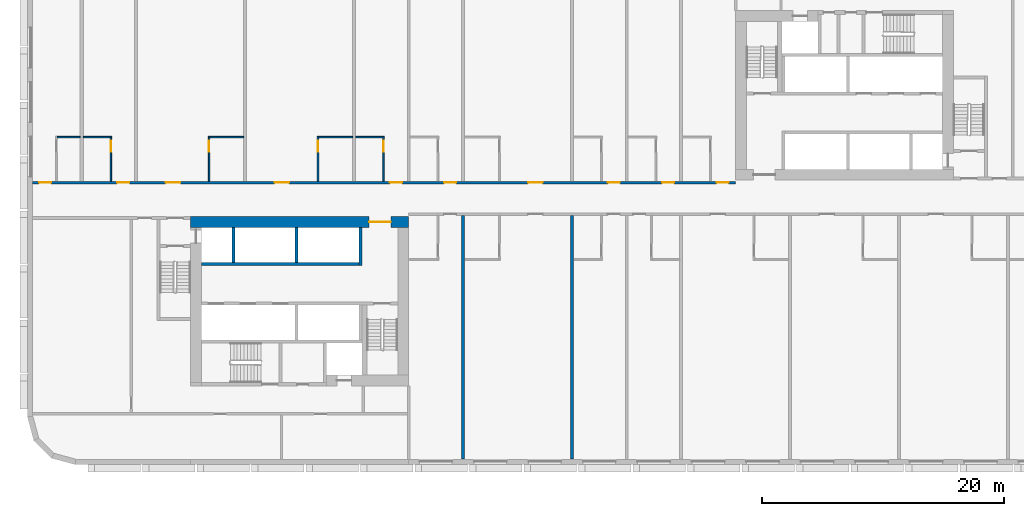
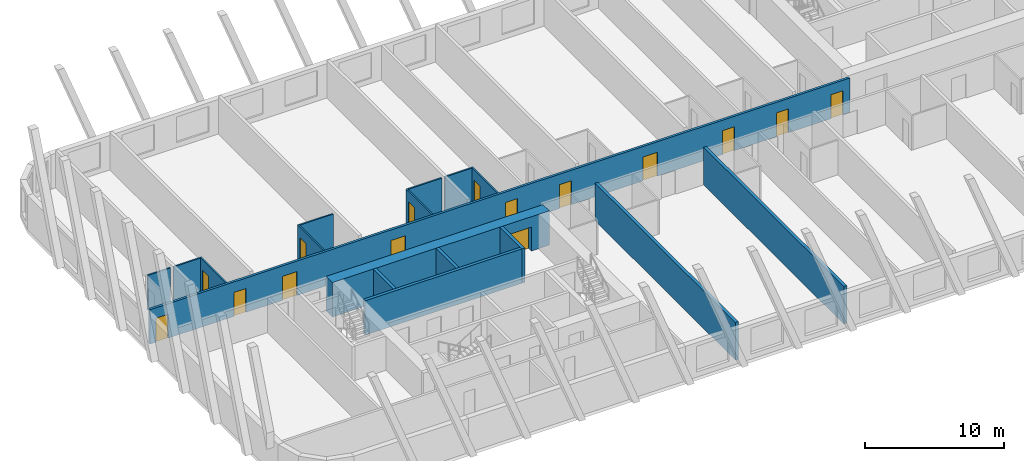
# One storey, part 3 of 13: 17 walls, 15 doors, 15 openings.
"""IFC4 building model written with IfcOpenShell, lengths in metres."""

from ifc_helpers import new_model, si_unit, direction, frame, frame_2d, origin, place, context, subcontext, project, spatial, rectangle, extrude, material, layer, layer_set, type_object, element, fill, save


model = new_model("IFC4")

# Units and contexts
model_context = context("Model", 3, precision=1e-05, world=origin(), true_north=direction((0.0, 1.0)))
body_context = subcontext(model_context, "Body", "Model", "MODEL_VIEW")
ifc_project = project(units=[si_unit("LENGTHUNIT", "METRE"), si_unit("AREAUNIT", "SQUARE_METRE"), si_unit("VOLUMEUNIT", "CUBIC_METRE"), si_unit("PLANEANGLEUNIT", "RADIAN"), si_unit("MASSUNIT", "GRAM", prefix="KILO")], contexts=[model_context])

# Site, building, storey
site_placement = place(None, origin())
site = spatial("IfcSite", under=ifc_project, at=site_placement, CompositionType="ELEMENT")
building_placement = place(site_placement, origin())
building = spatial("IfcBuilding", under=site, at=building_placement, Name="Kajstack Hotel Tower", CompositionType="ELEMENT")
storey_placement = place(building_placement, frame((0.0, 0.0, 60.0)))
storey = spatial("IfcBuildingStorey", under=building, at=storey_placement, Name="L09", CompositionType="ELEMENT", Elevation=60.0)

# Wall, opening, door
ifc_material_1 = material(Name="Concrete C60/75", Category="concrete")
ifc_layer_1 = layer(ifc_material_1, 0.89990234375)
ifc_layer_set_1 = layer_set([ifc_layer_1], Name="Core wall 900")
wall_type_1 = type_object("IfcWallType", Name="Core wall 900", PredefinedType="SHEAR", material=ifc_layer_set_1)
wall_1_placement = place(storey_placement, frame((-31.5, -1.949951171875, 0.0), z_axis=(0.0, 0.0, 1.0), x_axis=(1.0, 0.0, 0.0)))
wall_1 = element("IfcWall", 1, at=wall_1_placement, inside=storey, type_object=wall_type_1, Name="Core wall W RN", PredefinedType="SHEAR", context=body_context, shape_type="SweptSolid", body=[
    extrude(rectangle(XDim=18.0, YDim=0.89990234375, at=frame_2d((9.0, 0.0))), origin(), (0.0, 0.0, 1.0), 3.02001953125),
])
opening_1_placement = place(wall_1_placement, frame((14.72509765625, 0.0, 0.0)))
opening_1 = element("IfcOpeningElement", 2, at=opening_1_placement, cuts=wall_1, Name="Opening 09W06", PredefinedType="OPENING", context=body_context, shape_type="SweptSolid", body=[
    extrude(rectangle(XDim=1.800048828125, YDim=2.10009765625, at=frame_2d((0.89990234375, 1.050048828125))), frame((0.0, 0.4599609375, 0.0), z_axis=(0.0, -1.0, 0.0), x_axis=(1.0, 0.0, 0.0)), (0.0, 0.0, 1.0), 0.919921875),
])
ifc_material_2 = material(Name="Glazed steel frame, fire-rated glass", Category="steel")
door_type_1 = type_object("IfcDoorType", Name="Lobby double door 1800", OperationType="DOUBLE_DOOR_DOUBLE_SWING", PredefinedType="DOOR", material=ifc_material_2)
door_1_placement = place(opening_1_placement, origin())
door_1 = element("IfcDoor", 3, at=door_1_placement, inside=storey, type_object=door_type_1, Name="Door 09W06", OperationType="DOUBLE_DOOR_DOUBLE_SWING", OverallHeight=2.10009765625, OverallWidth=1.800048828125, PredefinedType="DOOR", context=body_context, shape_type="SweptSolid", body=[
    extrude(rectangle(XDim=1.800048828125, YDim=2.10009765625, at=frame_2d((0.89990234375, 1.050048828125))), frame((0.0, 0.02490234375, 0.0), z_axis=(0.0, -1.0, 0.0), x_axis=(1.0, 0.0, 0.0)), (0.0, 0.0, 1.0), 0.050048828125),
])
fill(opening_1, door_1)

# Wall, openings, doors
ifc_material_3 = material(Name="Gypsum board on steel studs, mineral wool", Category="steel")
ifc_layer_2 = layer(ifc_material_3, 0.199951171875)
ifc_layer_set_2 = layer_set([ifc_layer_2], Name="Corridor wall 200")
wall_type_2 = type_object("IfcWallType", Name="Corridor wall 200", PredefinedType="PARTITIONING", material=ifc_layer_set_2)
wall_2_placement = place(storey_placement, frame((-44.550048828125, 1.300048828125, 0.0), z_axis=(0.0, 0.0, 1.0), x_axis=(1.0, 0.0, 0.0)))
wall_2 = element("IfcWall", 4, at=wall_2_placement, inside=storey, type_object=wall_type_2, Name="G-wall-L09-003", PredefinedType="PARTITIONING", context=body_context, shape_type="SweptSolid", body=[
    extrude(rectangle(XDim=58.050048828125, YDim=0.199951171875, at=frame_2d((29.02490234375, 0.0))), origin(), (0.0, 0.0, 1.0), 3.02001953125),
])
opening_2_placement = place(wall_2_placement, frame((0.52490234375, 0.0, 0.0)))
opening_2 = element("IfcOpeningElement", 5, at=opening_2_placement, cuts=wall_2, Name="Opening 09001", PredefinedType="OPENING", context=body_context, shape_type="SweptSolid", body=[
    extrude(rectangle(XDim=1.0, YDim=2.10009765625, at=frame_2d((0.5, 1.050048828125))), frame((0.0, 0.10986328125, 0.0), z_axis=(0.0, -1.0, 0.0), x_axis=(1.0, 0.0, 0.0)), (0.0, 0.0, 1.0), 0.219970703125),
])
opening_3_placement = place(wall_2_placement, frame((6.97509765625, 0.0, 0.0)))
opening_3 = element("IfcOpeningElement", 6, at=opening_3_placement, cuts=wall_2, Name="Opening 09003", PredefinedType="OPENING", context=body_context, shape_type="SweptSolid", body=[
    extrude(rectangle(XDim=1.0, YDim=2.10009765625, at=frame_2d((0.5, 1.050048828125))), frame((0.0, 0.10986328125, 0.0), z_axis=(0.0, -1.0, 0.0), x_axis=(1.0, 0.0, 0.0)), (0.0, 0.0, 1.0), 0.219970703125),
])
opening_4_placement = place(wall_2_placement, frame((10.987060546875, 0.0, 0.0)))
opening_4 = element("IfcOpeningElement", 7, at=opening_4_placement, cuts=wall_2, Name="Opening 09005", PredefinedType="OPENING", context=body_context, shape_type="SweptSolid", body=[
    extrude(rectangle(XDim=1.199951171875, YDim=2.10009765625, at=frame_2d((0.60009765625, 1.050048828125))), frame((0.0, 0.10986328125, 0.0), z_axis=(0.0, -1.0, 0.0), x_axis=(1.0, 0.0, 0.0)), (0.0, 0.0, 1.0), 0.219970703125),
])
opening_5_placement = place(wall_2_placement, frame((19.987060546875, 0.0, 0.0)))
opening_5 = element("IfcOpeningElement", 8, at=opening_5_placement, cuts=wall_2, Name="Opening 09007", PredefinedType="OPENING", context=body_context, shape_type="SweptSolid", body=[
    extrude(rectangle(XDim=1.199951171875, YDim=2.10009765625, at=frame_2d((0.60009765625, 1.050048828125))), frame((0.0, 0.10986328125, 0.0), z_axis=(0.0, -1.0, 0.0), x_axis=(1.0, 0.0, 0.0)), (0.0, 0.0, 1.0), 0.219970703125),
])
opening_6_placement = place(wall_2_placement, frame((29.5, 0.0, 0.0)))
opening_6 = element("IfcOpeningElement", 9, at=opening_6_placement, cuts=wall_2, Name="Opening 09009", PredefinedType="OPENING", context=body_context, shape_type="SweptSolid", body=[
    extrude(rectangle(XDim=1.0, YDim=2.10009765625, at=frame_2d((0.5, 1.050048828125))), frame((0.0, 0.10986328125, 0.0), z_axis=(0.0, -1.0, 0.0), x_axis=(1.0, 0.0, 0.0)), (0.0, 0.0, 1.0), 0.219970703125),
])
opening_7_placement = place(wall_2_placement, frame((33.97509765625, 0.0, 0.0)))
opening_7 = element("IfcOpeningElement", 10, at=opening_7_placement, cuts=wall_2, Name="Opening 09011", PredefinedType="OPENING", context=body_context, shape_type="SweptSolid", body=[
    extrude(rectangle(XDim=1.0, YDim=2.10009765625, at=frame_2d((0.5, 1.050048828125))), frame((0.0, 0.10986328125, 0.0), z_axis=(0.0, -1.0, 0.0), x_axis=(1.0, 0.0, 0.0)), (0.0, 0.0, 1.0), 0.219970703125),
])
opening_8_placement = place(wall_2_placement, frame((40.912109375, 0.0, 0.0)))
opening_8 = element("IfcOpeningElement", 11, at=opening_8_placement, cuts=wall_2, Name="Opening 09013", PredefinedType="OPENING", context=body_context, shape_type="SweptSolid", body=[
    extrude(rectangle(XDim=1.199951171875, YDim=2.10009765625, at=frame_2d((0.60009765625, 1.050048828125))), frame((0.0, 0.10986328125, 0.0), z_axis=(0.0, -1.0, 0.0), x_axis=(1.0, 0.0, 0.0)), (0.0, 0.0, 1.0), 0.219970703125),
])
opening_9_placement = place(wall_2_placement, frame((47.5, 0.0, 0.0)))
opening_9 = element("IfcOpeningElement", 12, at=opening_9_placement, cuts=wall_2, Name="Opening 09015", PredefinedType="OPENING", context=body_context, shape_type="SweptSolid", body=[
    extrude(rectangle(XDim=1.0, YDim=2.10009765625, at=frame_2d((0.5, 1.050048828125))), frame((0.0, 0.10986328125, 0.0), z_axis=(0.0, -1.0, 0.0), x_axis=(1.0, 0.0, 0.0)), (0.0, 0.0, 1.0), 0.219970703125),
])
opening_10_placement = place(wall_2_placement, frame((51.97509765625, 0.0, 0.0)))
opening_10 = element("IfcOpeningElement", 13, at=opening_10_placement, cuts=wall_2, Name="Opening 09017", PredefinedType="OPENING", context=body_context, shape_type="SweptSolid", body=[
    extrude(rectangle(XDim=1.0, YDim=2.10009765625, at=frame_2d((0.5, 1.050048828125))), frame((0.0, 0.10986328125, 0.0), z_axis=(0.0, -1.0, 0.0), x_axis=(1.0, 0.0, 0.0)), (0.0, 0.0, 1.0), 0.219970703125),
])
opening_11_placement = place(wall_2_placement, frame((56.47509765625, 0.0, 0.0)))
opening_11 = element("IfcOpeningElement", 14, at=opening_11_placement, cuts=wall_2, Name="Opening 09019", PredefinedType="OPENING", context=body_context, shape_type="SweptSolid", body=[
    extrude(rectangle(XDim=1.0, YDim=2.10009765625, at=frame_2d((0.5, 1.050048828125))), frame((0.0, 0.10986328125, 0.0), z_axis=(0.0, -1.0, 0.0), x_axis=(1.0, 0.0, 0.0)), (0.0, 0.0, 1.0), 0.219970703125),
])
ifc_material_4 = material(Name="Oak veneer on timber core, fire-rated leaf", Category="wood")
door_type_2 = type_object("IfcDoorType", Name="Flat entrance door 1000", OperationType="SINGLE_SWING_LEFT", PredefinedType="DOOR", material=ifc_material_4)
door_2_placement = place(opening_2_placement, origin())
door_2 = element("IfcDoor", 15, at=door_2_placement, inside=storey, type_object=door_type_2, Name="G-door-L09-01", OperationType="SINGLE_SWING_LEFT", OverallHeight=2.10009765625, OverallWidth=1.0, PredefinedType="DOOR", context=body_context, shape_type="SweptSolid", body=[
    extrude(rectangle(XDim=1.0, YDim=2.10009765625, at=frame_2d((0.5, 1.050048828125))), frame((0.0, 0.02490234375, 0.0), z_axis=(0.0, -1.0, 0.0), x_axis=(1.0, 0.0, 0.0)), (0.0, 0.0, 1.0), 0.050048828125),
])
fill(opening_2, door_2)
door_3_placement = place(opening_3_placement, origin())
door_3 = element("IfcDoor", 16, at=door_3_placement, inside=storey, type_object=door_type_2, Name="G-door-L09-03", OperationType="SINGLE_SWING_LEFT", OverallHeight=2.10009765625, OverallWidth=1.0, PredefinedType="DOOR", context=body_context, shape_type="SweptSolid", body=[
    extrude(rectangle(XDim=1.0, YDim=2.10009765625, at=frame_2d((0.5, 1.050048828125))), frame((0.0, 0.02490234375, 0.0), z_axis=(0.0, -1.0, 0.0), x_axis=(1.0, 0.0, 0.0)), (0.0, 0.0, 1.0), 0.050048828125),
])
fill(opening_3, door_3)
door_4_placement = place(opening_6_placement, origin())
door_4 = element("IfcDoor", 17, at=door_4_placement, inside=storey, type_object=door_type_2, Name="G-door-L09-09", OperationType="SINGLE_SWING_LEFT", OverallHeight=2.10009765625, OverallWidth=1.0, PredefinedType="DOOR", context=body_context, shape_type="SweptSolid", body=[
    extrude(rectangle(XDim=1.0, YDim=2.10009765625, at=frame_2d((0.5, 1.050048828125))), frame((0.0, 0.02490234375, 0.0), z_axis=(0.0, -1.0, 0.0), x_axis=(1.0, 0.0, 0.0)), (0.0, 0.0, 1.0), 0.050048828125),
])
fill(opening_6, door_4)
door_5_placement = place(opening_7_placement, origin())
door_5 = element("IfcDoor", 18, at=door_5_placement, inside=storey, type_object=door_type_2, Name="G-door-L09-11", OperationType="SINGLE_SWING_RIGHT", OverallHeight=2.10009765625, OverallWidth=1.0, PredefinedType="DOOR", context=body_context, shape_type="SweptSolid", body=[
    extrude(rectangle(XDim=1.0, YDim=2.10009765625, at=frame_2d((0.5, 1.050048828125))), frame((0.0, 0.02490234375, 0.0), z_axis=(0.0, -1.0, 0.0), x_axis=(1.0, 0.0, 0.0)), (0.0, 0.0, 1.0), 0.050048828125),
])
fill(opening_7, door_5)
door_6_placement = place(opening_9_placement, origin())
door_6 = element("IfcDoor", 19, at=door_6_placement, inside=storey, type_object=door_type_2, Name="G-door-L09-15", OperationType="SINGLE_SWING_RIGHT", OverallHeight=2.10009765625, OverallWidth=1.0, PredefinedType="DOOR", context=body_context, shape_type="SweptSolid", body=[
    extrude(rectangle(XDim=1.0, YDim=2.10009765625, at=frame_2d((0.5, 1.050048828125))), frame((0.0, 0.02490234375, 0.0), z_axis=(0.0, -1.0, 0.0), x_axis=(1.0, 0.0, 0.0)), (0.0, 0.0, 1.0), 0.050048828125),
])
fill(opening_9, door_6)
door_7_placement = place(opening_10_placement, origin())
door_7 = element("IfcDoor", 20, at=door_7_placement, inside=storey, type_object=door_type_2, Name="G-door-L09-17", OperationType="SINGLE_SWING_RIGHT", OverallHeight=2.10009765625, OverallWidth=1.0, PredefinedType="DOOR", context=body_context, shape_type="SweptSolid", body=[
    extrude(rectangle(XDim=1.0, YDim=2.10009765625, at=frame_2d((0.5, 1.050048828125))), frame((0.0, 0.02490234375, 0.0), z_axis=(0.0, -1.0, 0.0), x_axis=(1.0, 0.0, 0.0)), (0.0, 0.0, 1.0), 0.050048828125),
])
fill(opening_10, door_7)
door_8_placement = place(opening_11_placement, origin())
door_8 = element("IfcDoor", 21, at=door_8_placement, inside=storey, type_object=door_type_2, Name="G-door-L09-19", OperationType="SINGLE_SWING_RIGHT", OverallHeight=2.10009765625, OverallWidth=1.0, PredefinedType="DOOR", context=body_context, shape_type="SweptSolid", body=[
    extrude(rectangle(XDim=1.0, YDim=2.10009765625, at=frame_2d((0.5, 1.050048828125))), frame((0.0, 0.02490234375, 0.0), z_axis=(0.0, -1.0, 0.0), x_axis=(1.0, 0.0, 0.0)), (0.0, 0.0, 1.0), 0.050048828125),
])
fill(opening_11, door_8)
door_type_3 = type_object("IfcDoorType", Name="Flat entrance door 1200", OperationType="SINGLE_SWING_LEFT", PredefinedType="DOOR", material=ifc_material_4)
door_9_placement = place(opening_4_placement, origin())
door_9 = element("IfcDoor", 22, at=door_9_placement, inside=storey, type_object=door_type_3, Name="G-door-L09-05", OperationType="SINGLE_SWING_RIGHT", OverallHeight=2.10009765625, OverallWidth=1.199951171875, PredefinedType="DOOR", context=body_context, shape_type="SweptSolid", body=[
    extrude(rectangle(XDim=1.199951171875, YDim=2.10009765625, at=frame_2d((0.60009765625, 1.050048828125))), frame((0.0, 0.02490234375, 0.0), z_axis=(0.0, -1.0, 0.0), x_axis=(1.0, 0.0, 0.0)), (0.0, 0.0, 1.0), 0.050048828125),
])
fill(opening_4, door_9)
door_10_placement = place(opening_5_placement, origin())
door_10 = element("IfcDoor", 23, at=door_10_placement, inside=storey, type_object=door_type_3, Name="G-door-L09-07", OperationType="SINGLE_SWING_RIGHT", OverallHeight=2.10009765625, OverallWidth=1.199951171875, PredefinedType="DOOR", context=body_context, shape_type="SweptSolid", body=[
    extrude(rectangle(XDim=1.199951171875, YDim=2.10009765625, at=frame_2d((0.60009765625, 1.050048828125))), frame((0.0, 0.02490234375, 0.0), z_axis=(0.0, -1.0, 0.0), x_axis=(1.0, 0.0, 0.0)), (0.0, 0.0, 1.0), 0.050048828125),
])
fill(opening_5, door_10)
door_11_placement = place(opening_8_placement, origin())
door_11 = element("IfcDoor", 24, at=door_11_placement, inside=storey, type_object=door_type_3, Name="G-door-L09-13", OperationType="SINGLE_SWING_RIGHT", OverallHeight=2.10009765625, OverallWidth=1.199951171875, PredefinedType="DOOR", context=body_context, shape_type="SweptSolid", body=[
    extrude(rectangle(XDim=1.199951171875, YDim=2.10009765625, at=frame_2d((0.60009765625, 1.050048828125))), frame((0.0, 0.02490234375, 0.0), z_axis=(0.0, -1.0, 0.0), x_axis=(1.0, 0.0, 0.0)), (0.0, 0.0, 1.0), 0.050048828125),
])
fill(opening_8, door_11)

# Wall
ifc_material_5 = material(Name="Gypsum board and tiled backer on steel studs", Category="steel")
ifc_layer_3 = layer(ifc_material_5, 0.125)
ifc_layer_set_3 = layer_set([ifc_layer_3], Name="En-suite wall 125")
wall_type_3 = type_object("IfcWallType", Name="En-suite wall 125", PredefinedType="PARTITIONING", material=ifc_layer_set_3)
wall_3_placement = place(storey_placement, frame((-42.52490234375, 5.06201171875, 0.0), z_axis=(0.0, 0.0, 1.0), x_axis=(1.0, 0.0, 0.0)))
element("IfcWall", 25, at=wall_3_placement, inside=storey, type_object=wall_type_3, Name="G-wall-L09-005", PredefinedType="PARTITIONING", context=body_context, shape_type="SweptSolid", body=[
    extrude(rectangle(XDim=1.89990234375, YDim=0.125, at=frame_2d((0.949951171875, 0.0))), origin(), (0.0, 0.0, 1.0), 3.02001953125),
])

# Wall, opening, door
wall_4_placement = place(storey_placement, frame((-38.0869140625, 1.39990234375, 0.0), z_axis=(0.0, 0.0, 1.0), x_axis=(0.0, 1.0, 0.0)))
wall_4 = element("IfcWall", 26, at=wall_4_placement, inside=storey, type_object=wall_type_3, Name="G-wall-L09-006", PredefinedType="PARTITIONING", context=body_context, shape_type="SweptSolid", body=[
    extrude(rectangle(XDim=3.72509765625, YDim=0.125, at=frame_2d((1.862548828125, 0.0))), origin(), (0.0, 0.0, 1.0), 3.02001953125),
])
opening_12_placement = place(wall_4_placement, frame((2.449951171875, 0.0, 0.0)))
opening_12 = element("IfcOpeningElement", 27, at=opening_12_placement, cuts=wall_4, Name="Opening 09004", PredefinedType="OPENING", context=body_context, shape_type="SweptSolid", body=[
    extrude(rectangle(XDim=0.89990234375, YDim=2.10009765625, at=frame_2d((0.449951171875, 1.050048828125))), frame((0.0, 0.072509765625, 0.0), z_axis=(0.0, -1.0, 0.0), x_axis=(1.0, 0.0, 0.0)), (0.0, 0.0, 1.0), 0.14501953125),
])
ifc_material_6 = material(Name="Painted timber door leaf", Category="wood")
door_type_4 = type_object("IfcDoorType", Name="Room door 900", OperationType="SINGLE_SWING_LEFT", PredefinedType="DOOR", material=ifc_material_6)
door_12_placement = place(opening_12_placement, origin())
door_12 = element("IfcDoor", 28, at=door_12_placement, inside=storey, type_object=door_type_4, Name="G-door-L09-04", OperationType="SINGLE_SWING_RIGHT", OverallHeight=2.10009765625, OverallWidth=0.89990234375, PredefinedType="DOOR", context=body_context, shape_type="SweptSolid", body=[
    extrude(rectangle(XDim=0.89990234375, YDim=2.10009765625, at=frame_2d((0.449951171875, 1.050048828125))), frame((0.0, 0.02490234375, 0.0), z_axis=(0.0, -1.0, 0.0), x_axis=(1.0, 0.0, 0.0)), (0.0, 0.0, 1.0), 0.050048828125),
])
fill(opening_12, door_12)

# Wall
wall_5_placement = place(storey_placement, frame((-40.375, 5.06201171875, 0.0), z_axis=(0.0, 0.0, 1.0), x_axis=(1.0, 0.0, 0.0)))
element("IfcWall", 29, at=wall_5_placement, inside=storey, type_object=wall_type_3, Name="G-wall-L09-007", PredefinedType="PARTITIONING", context=body_context, shape_type="SweptSolid", body=[
    extrude(rectangle(XDim=2.22509765625, YDim=0.125, at=frame_2d((1.112548828125, 0.0))), origin(), (0.0, 0.0, 1.0), 3.02001953125),
])

# Wall, opening, door
wall_6_placement = place(storey_placement, frame((-29.988037109375, 1.39990234375, 0.0), z_axis=(0.0, 0.0, 1.0), x_axis=(0.0, 1.0, 0.0)))
wall_6 = element("IfcWall", 30, at=wall_6_placement, inside=storey, type_object=wall_type_3, Name="G-wall-L09-008", PredefinedType="PARTITIONING", context=body_context, shape_type="SweptSolid", body=[
    extrude(rectangle(XDim=3.72509765625, YDim=0.125, at=frame_2d((1.862548828125, 0.0))), origin(), (0.0, 0.0, 1.0), 3.02001953125),
])
opening_13_placement = place(wall_6_placement, frame((2.449951171875, 0.0, 0.0)))
opening_13 = element("IfcOpeningElement", 31, at=opening_13_placement, cuts=wall_6, Name="Opening 09006", PredefinedType="OPENING", context=body_context, shape_type="SweptSolid", body=[
    extrude(rectangle(XDim=0.89990234375, YDim=2.10009765625, at=frame_2d((0.449951171875, 1.050048828125))), frame((0.0, 0.072509765625, 0.0), z_axis=(0.0, -1.0, 0.0), x_axis=(1.0, 0.0, 0.0)), (0.0, 0.0, 1.0), 0.14501953125),
])
door_13_placement = place(opening_13_placement, origin())
door_13 = element("IfcDoor", 32, at=door_13_placement, inside=storey, type_object=door_type_4, Name="G-door-L09-06", OperationType="SINGLE_SWING_RIGHT", OverallHeight=2.10009765625, OverallWidth=0.89990234375, PredefinedType="DOOR", context=body_context, shape_type="SweptSolid", body=[
    extrude(rectangle(XDim=0.89990234375, YDim=2.10009765625, at=frame_2d((0.449951171875, 1.050048828125))), frame((0.0, 0.02490234375, 0.0), z_axis=(0.0, -1.0, 0.0), x_axis=(1.0, 0.0, 0.0)), (0.0, 0.0, 1.0), 0.050048828125),
])
fill(opening_13, door_13)

# Wall
wall_7_placement = place(storey_placement, frame((-29.925048828125, 5.06201171875, 0.0), z_axis=(0.0, 0.0, 1.0), x_axis=(1.0, 0.0, 0.0)))
element("IfcWall", 33, at=wall_7_placement, inside=storey, type_object=wall_type_3, Name="G-wall-L09-009", PredefinedType="PARTITIONING", context=body_context, shape_type="SweptSolid", body=[
    extrude(rectangle(XDim=2.800048828125, YDim=0.125, at=frame_2d((1.39990234375, 0.0))), origin(), (0.0, 0.0, 1.0), 3.02001953125),
])

# Wall, opening, door
wall_8_placement = place(storey_placement, frame((-20.988037109375, 1.39990234375, 0.0), z_axis=(0.0, 0.0, 1.0), x_axis=(0.0, 1.0, 0.0)))
wall_8 = element("IfcWall", 34, at=wall_8_placement, inside=storey, type_object=wall_type_3, Name="G-wall-L09-010", PredefinedType="PARTITIONING", context=body_context, shape_type="SweptSolid", body=[
    extrude(rectangle(XDim=3.72509765625, YDim=0.125, at=frame_2d((1.862548828125, 0.0))), origin(), (0.0, 0.0, 1.0), 3.02001953125),
])
opening_14_placement = place(wall_8_placement, frame((2.449951171875, 0.0, 0.0)))
opening_14 = element("IfcOpeningElement", 35, at=opening_14_placement, cuts=wall_8, Name="Opening 09008", PredefinedType="OPENING", context=body_context, shape_type="SweptSolid", body=[
    extrude(rectangle(XDim=0.89990234375, YDim=2.10009765625, at=frame_2d((0.449951171875, 1.050048828125))), frame((0.0, 0.072509765625, 0.0), z_axis=(0.0, -1.0, 0.0), x_axis=(1.0, 0.0, 0.0)), (0.0, 0.0, 1.0), 0.14501953125),
])
door_14_placement = place(opening_14_placement, origin())
door_14 = element("IfcDoor", 36, at=door_14_placement, inside=storey, type_object=door_type_4, Name="G-door-L09-08", OperationType="SINGLE_SWING_LEFT", OverallHeight=2.10009765625, OverallWidth=0.89990234375, PredefinedType="DOOR", context=body_context, shape_type="SweptSolid", body=[
    extrude(rectangle(XDim=0.89990234375, YDim=2.10009765625, at=frame_2d((0.449951171875, 1.050048828125))), frame((0.0, 0.02490234375, 0.0), z_axis=(0.0, -1.0, 0.0), x_axis=(1.0, 0.0, 0.0)), (0.0, 0.0, 1.0), 0.050048828125),
])
fill(opening_14, door_14)

# Wall
wall_9_placement = place(storey_placement, frame((-20.925048828125, 5.06201171875, 0.0), z_axis=(0.0, 0.0, 1.0), x_axis=(1.0, 0.0, 0.0)))
element("IfcWall", 37, at=wall_9_placement, inside=storey, type_object=wall_type_3, Name="G-wall-L09-011", PredefinedType="PARTITIONING", context=body_context, shape_type="SweptSolid", body=[
    extrude(rectangle(XDim=2.800048828125, YDim=0.125, at=frame_2d((1.39990234375, 0.0))), origin(), (0.0, 0.0, 1.0), 3.02001953125),
])

# Wall, opening, door
wall_10_placement = place(storey_placement, frame((-15.56201171875, 1.39990234375, 0.0), z_axis=(0.0, 0.0, 1.0), x_axis=(0.0, 1.0, 0.0)))
wall_10 = element("IfcWall", 38, at=wall_10_placement, inside=storey, type_object=wall_type_3, Name="G-wall-L09-013", PredefinedType="PARTITIONING", context=body_context, shape_type="SweptSolid", body=[
    extrude(rectangle(XDim=3.72509765625, YDim=0.125, at=frame_2d((1.862548828125, 0.0))), origin(), (0.0, 0.0, 1.0), 3.02001953125),
])
opening_15_placement = place(wall_10_placement, frame((2.449951171875, 0.0, 0.0)))
opening_15 = element("IfcOpeningElement", 39, at=opening_15_placement, cuts=wall_10, Name="Opening 09010", PredefinedType="OPENING", context=body_context, shape_type="SweptSolid", body=[
    extrude(rectangle(XDim=0.89990234375, YDim=2.10009765625, at=frame_2d((0.449951171875, 1.050048828125))), frame((0.0, 0.072509765625, 0.0), z_axis=(0.0, -1.0, 0.0), x_axis=(1.0, 0.0, 0.0)), (0.0, 0.0, 1.0), 0.14501953125),
])
door_15_placement = place(opening_15_placement, origin())
door_15 = element("IfcDoor", 40, at=door_15_placement, inside=storey, type_object=door_type_4, Name="G-door-L09-10", OperationType="SINGLE_SWING_LEFT", OverallHeight=2.10009765625, OverallWidth=0.89990234375, PredefinedType="DOOR", context=body_context, shape_type="SweptSolid", body=[
    extrude(rectangle(XDim=0.89990234375, YDim=2.10009765625, at=frame_2d((0.449951171875, 1.050048828125))), frame((0.0, 0.02490234375, 0.0), z_axis=(0.0, -1.0, 0.0), x_axis=(1.0, 0.0, 0.0)), (0.0, 0.0, 1.0), 0.050048828125),
])
fill(opening_15, door_15)

# Walls
wall_11_placement = place(storey_placement, frame((-17.875, 5.06201171875, 0.0), z_axis=(0.0, 0.0, 1.0), x_axis=(1.0, 0.0, 0.0)))
element("IfcWall", 41, at=wall_11_placement, inside=storey, type_object=wall_type_3, Name="G-wall-L09-014", PredefinedType="PARTITIONING", context=body_context, shape_type="SweptSolid", body=[
    extrude(rectangle(XDim=2.25, YDim=0.125, at=frame_2d((1.125, 0.0))), origin(), (0.0, 0.0, 1.0), 3.02001953125),
])
ifc_material_7 = material(Name="Concrete C50/60", Category="concrete")
ifc_layer_4 = layer(ifc_material_7, 0.300048828125)
ifc_layer_set_4 = layer_set([ifc_layer_4], Name="Hoistway divider wall 300")
wall_type_4 = type_object("IfcWallType", Name="Hoistway divider wall 300", PredefinedType="SHEAR", material=ifc_layer_set_4)
wall_12_placement = place(storey_placement, frame((-22.77490234375, -5.300048828125, 0.0), z_axis=(0.0, 0.0, 1.0), x_axis=(0.0, 1.0, 0.0)))
element("IfcWall", 42, at=wall_12_placement, inside=storey, type_object=wall_type_4, Name="Core wall W AP2", PredefinedType="SHEAR", context=body_context, shape_type="SweptSolid", body=[
    extrude(rectangle(XDim=2.900146484375, YDim=0.25, at=frame_2d((1.4501953125, 0.0))), origin(), (0.0, 0.0, 1.0), 3.02001953125),
])
ifc_layer_5 = layer(ifc_material_1, 0.25)
ifc_layer_set_5 = layer_set([ifc_layer_5], Name="RC cross wall 250 C60/75")
wall_type_5 = type_object("IfcWallType", Name="RC cross wall 250 C60/75", PredefinedType="SHEAR", material=ifc_layer_set_5)
for number, where, z_axis, x_axis, name in (
    (43, (-9.0, -21.5400390625, 0.0), (0.0, 0.0, 1.0), (0.0, 1.0, 0.0), "S-wall-L09-05"),
    (44, (0.0, -21.5400390625, 0.0), (0.0, 0.0, 1.0), (0.0, 1.0, 0.0), "S-wall-L09-07"),
):
    element("IfcWall", number, at=place(storey_placement, frame(where, z_axis=z_axis, x_axis=x_axis)), inside=storey, type_object=wall_type_5, Name=name, PredefinedType="SHEAR", context=body_context, shape_type="SweptSolid", body=[
        extrude(rectangle(XDim=20.14013671875, YDim=0.25, at=frame_2d((10.070068359375, 0.0))), origin(), (0.0, 0.0, 1.0), 3.300048828125),
    ])
ifc_layer_6 = layer(ifc_material_7, 0.25)
ifc_layer_set_6 = layer_set([ifc_layer_6], Name="Shaft wall 250")
wall_type_6 = type_object("IfcWallType", Name="Shaft wall 250", PredefinedType="SHEAR", material=ifc_layer_set_6)
wall_13_placement = place(storey_placement, frame((-30.60009765625, -5.425048828125, 0.0), z_axis=(0.0, 0.0, 1.0), x_axis=(1.0, 0.0, 0.0)))
element("IfcWall", 45, at=wall_13_placement, inside=storey, type_object=wall_type_6, Name="Core wall W FA", PredefinedType="SHEAR", context=body_context, shape_type="SweptSolid", body=[
    extrude(rectangle(XDim=13.0, YDim=0.25, at=frame_2d((6.5, 0.0))), origin(), (0.0, 0.0, 1.0), 3.02001953125),
])
wall_14_placement = place(storey_placement, frame((-17.47509765625, -5.550048828125, 0.0), z_axis=(0.0, 0.0, 1.0), x_axis=(0.0, 1.0, 0.0)))
element("IfcWall", 46, at=wall_14_placement, inside=storey, type_object=wall_type_6, Name="Core wall W AE", PredefinedType="SHEAR", context=body_context, shape_type="SweptSolid", body=[
    extrude(rectangle(XDim=3.150146484375, YDim=0.25, at=frame_2d((1.5751953125, 0.0))), origin(), (0.0, 0.0, 1.0), 3.02001953125),
])
wall_15_placement = place(storey_placement, frame((-27.97509765625, -5.300048828125, 0.0), z_axis=(0.0, 0.0, 1.0), x_axis=(0.0, 1.0, 0.0)))
element("IfcWall", 47, at=wall_15_placement, inside=storey, type_object=wall_type_6, Name="Core wall W AP0", PredefinedType="SHEAR", context=body_context, shape_type="SweptSolid", body=[
    extrude(rectangle(XDim=2.900146484375, YDim=0.25, at=frame_2d((1.4501953125, 0.0))), origin(), (0.0, 0.0, 1.0), 3.02001953125),
])

save(model, "model.ifc")
